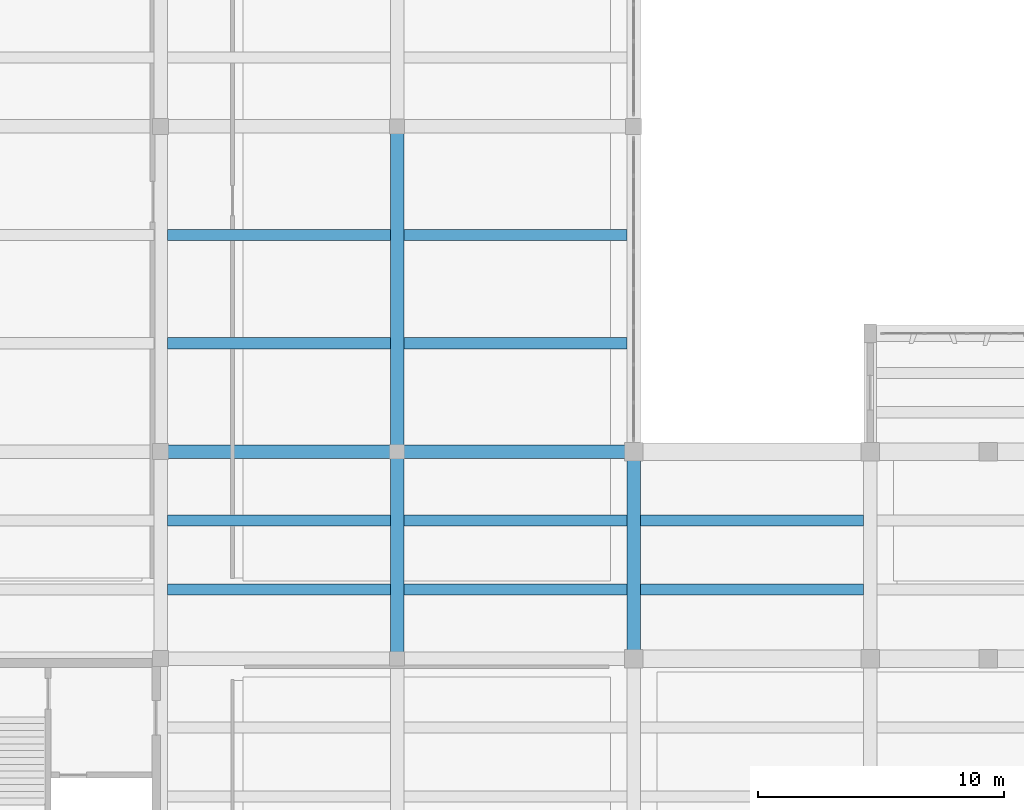
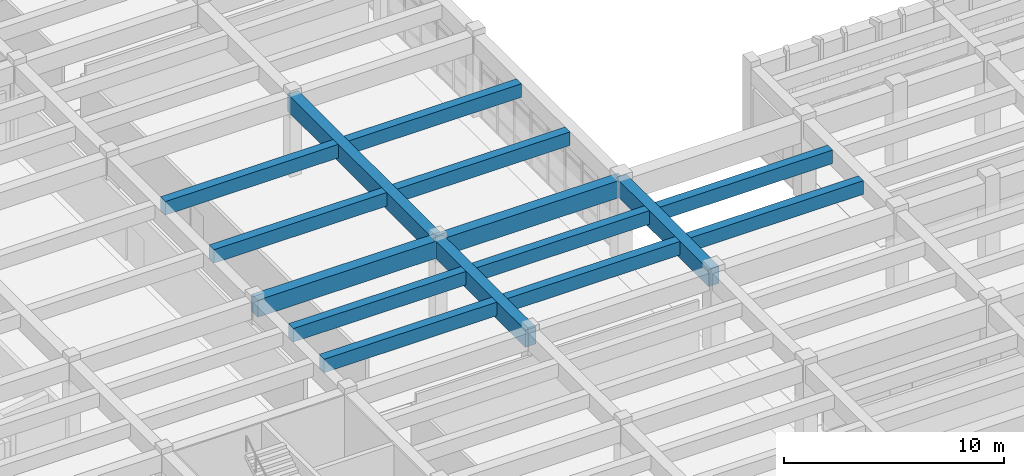
# One storey, part 8 of 86: 15 beams.
"""IFC4 building model written with IfcOpenShell, lengths in metres."""

from ifc_helpers import new_model, si_unit, direction, frame, origin, origin_2d, place, context, subcontext, project, spatial, rectangle, extrude, material, material_profile, profile_set, type_object, element, save


model = new_model("IFC4")

# Units and contexts
model_context = context("Model", 3, precision=1e-05, world=origin(), true_north=direction((0.0, 1.0)))
body_context = subcontext(model_context, "Body", "Model", "MODEL_VIEW")
ifc_project = project(units=[si_unit("LENGTHUNIT", "METRE"), si_unit("AREAUNIT", "SQUARE_METRE"), si_unit("VOLUMEUNIT", "CUBIC_METRE"), si_unit("PLANEANGLEUNIT", "RADIAN"), si_unit("MASSUNIT", "GRAM", prefix="KILO")], contexts=[model_context])

# Site, building, storey
site_placement = place(None, origin())
site = spatial("IfcSite", under=ifc_project, at=site_placement, CompositionType="ELEMENT")
building_placement = place(site_placement, origin())
building = spatial("IfcBuilding", under=site, at=building_placement, Name="Kolvemor Railside Polytechnic", CompositionType="ELEMENT")
storey_placement = place(building_placement, frame((0.0, 0.0, 5.39990234375)))
storey = spatial("IfcBuildingStorey", under=building, at=storey_placement, Name="L01", CompositionType="ELEMENT", Elevation=5.39990234375)

# Beams
ifc_material_1 = material(Name="Concrete C40/50", Category="concrete")
ifc_material_profile_1 = material_profile(ifc_material_1, rectangle(XDim=0.550048828125, YDim=0.949951171875, at=origin_2d()), Name="RC550x950")
ifc_profile_set_1 = profile_set([ifc_material_profile_1], Name="Concrete C40/50")
beam_type_1 = type_object("IfcBeamType", Name="BM-RC-GIRD", PredefinedType="BEAM", material=ifc_profile_set_1)
beam_1_placement = place(storey_placement, frame((28.800048828125, 38.39990234375, 4.005126953125), z_axis=(1.0, 0.0, 0.0), x_axis=(0.0, 1.0, 0.0)))
element("IfcBeam", 1, at=beam_1_placement, inside=storey, type_object=beam_type_1, Name="Primary Girder L02-GX 0581", PredefinedType="BEAM", context=body_context, shape_type="SweptSolid", body=[
    extrude(rectangle(XDim=0.550048828125, YDim=0.949951171875, at=origin_2d()), origin(), (0.0, 0.0, 1.0), 9.599853515625),
])
beam_2_placement = place(storey_placement, frame((38.39990234375, 38.39990234375, 4.005126953125), z_axis=(1.0, 0.0, 0.0), x_axis=(0.0, 1.0, 0.0)))
element("IfcBeam", 2, at=beam_2_placement, inside=storey, type_object=beam_type_1, Name="Primary Girder L02-GX 0582", PredefinedType="BEAM", context=body_context, shape_type="SweptSolid", body=[
    extrude(rectangle(XDim=0.550048828125, YDim=0.949951171875, at=origin_2d()), origin(), (0.0, 0.0, 1.0), 9.60009765625),
])
beam_3_placement = place(storey_placement, frame((38.39990234375, 30.0, 4.005126953125), z_axis=(0.0, 1.0, 0.0), x_axis=(-1.0, 0.0, 0.0)))
element("IfcBeam", 3, at=beam_3_placement, inside=storey, type_object=beam_type_1, Name="Primary Girder L02-GY 0647", PredefinedType="BEAM", context=body_context, shape_type="SweptSolid", body=[
    extrude(rectangle(XDim=0.550048828125, YDim=0.949951171875, at=origin_2d()), origin(), (0.0, 0.0, 1.0), 8.39990234375),
])
beam_4_placement = place(storey_placement, frame((38.39990234375, 38.39990234375, 4.005126953125), z_axis=(0.0, 1.0, 0.0), x_axis=(-1.0, 0.0, 0.0)))
element("IfcBeam", 4, at=beam_4_placement, inside=storey, type_object=beam_type_1, Name="Primary Girder L02-GY 0648", PredefinedType="BEAM", context=body_context, shape_type="SweptSolid", body=[
    extrude(rectangle(XDim=0.550048828125, YDim=0.949951171875, at=origin_2d()), origin(), (0.0, 0.0, 1.0), 13.2001953125),
])
beam_5_placement = place(storey_placement, frame((48.0, 30.0, 4.005126953125), z_axis=(0.0, 1.0, 0.0), x_axis=(-1.0, 0.0, 0.0)))
element("IfcBeam", 5, at=beam_5_placement, inside=storey, type_object=beam_type_1, Name="Primary Girder L02-GY 0656", PredefinedType="BEAM", context=body_context, shape_type="SweptSolid", body=[
    extrude(rectangle(XDim=0.550048828125, YDim=0.949951171875, at=origin_2d()), origin(), (0.0, 0.0, 1.0), 8.39990234375),
])
ifc_material_2 = material(Name="Concrete C40/50", Category="concrete")
ifc_material_profile_2 = material_profile(ifc_material_2, rectangle(XDim=0.449951171875, YDim=0.75, at=origin_2d()), Name="RC450x750")
ifc_profile_set_2 = profile_set([ifc_material_profile_2], Name="Concrete C40/50")
beam_type_2 = type_object("IfcBeamType", Name="BM-RC-SEC", PredefinedType="JOIST", material=ifc_profile_set_2)
for number, where, z_axis, x_axis, name in (
    (6, (29.074951171875, 32.800048828125, 4.10498046875), (1.0, 0.0, 0.0), (0.0, 1.0, 0.0), "Floor Joist L02-J0718"),
    (7, (29.074951171875, 35.60009765625, 4.10498046875), (1.0, 0.0, 0.0), (0.0, 1.0, 0.0), "Floor Joist L02-J0719"),
    (8, (29.074951171875, 42.800048828125, 4.10498046875), (1.0, 0.0, 0.0), (0.0, 1.0, 0.0), "Floor Joist L02-J0720"),
    (9, (29.074951171875, 47.199951171875, 4.10498046875), (1.0, 0.0, 0.0), (0.0, 1.0, 0.0), "Floor Joist L02-J0721"),
    (10, (38.675048828125, 32.800048828125, 4.10498046875), (1.0, 0.0, 0.0), (0.0, 1.0, 0.0), "Floor Joist L02-J0736"),
    (11, (38.675048828125, 35.60009765625, 4.10498046875), (1.0, 0.0, 0.0), (0.0, 1.0, 0.0), "Floor Joist L02-J0737"),
    (12, (38.675048828125, 42.800048828125, 4.10498046875), (1.0, 0.0, 0.0), (0.0, 1.0, 0.0), "Floor Joist L02-J0738"),
    (13, (38.675048828125, 47.199951171875, 4.10498046875), (1.0, 0.0, 0.0), (0.0, 1.0, 0.0), "Floor Joist L02-J0739"),
    (14, (48.27490234375, 32.800048828125, 4.10498046875), (1.0, 0.0, 0.0), (0.0, 1.0, 0.0), "Floor Joist L02-J0835"),
    (15, (48.27490234375, 35.60009765625, 4.10498046875), (1.0, 0.0, 0.0), (0.0, 1.0, 0.0), "Floor Joist L02-J0836"),
):
    element("IfcBeam", number, at=place(storey_placement, frame(where, z_axis=z_axis, x_axis=x_axis)), inside=storey, type_object=beam_type_2, Name=name, PredefinedType="JOIST", context=body_context, shape_type="SweptSolid", body=[
        extrude(rectangle(XDim=0.449951171875, YDim=0.75, at=origin_2d()), origin(), (0.0, 0.0, 1.0), 9.050048828125),
    ])

save(model, "model.ifc")
